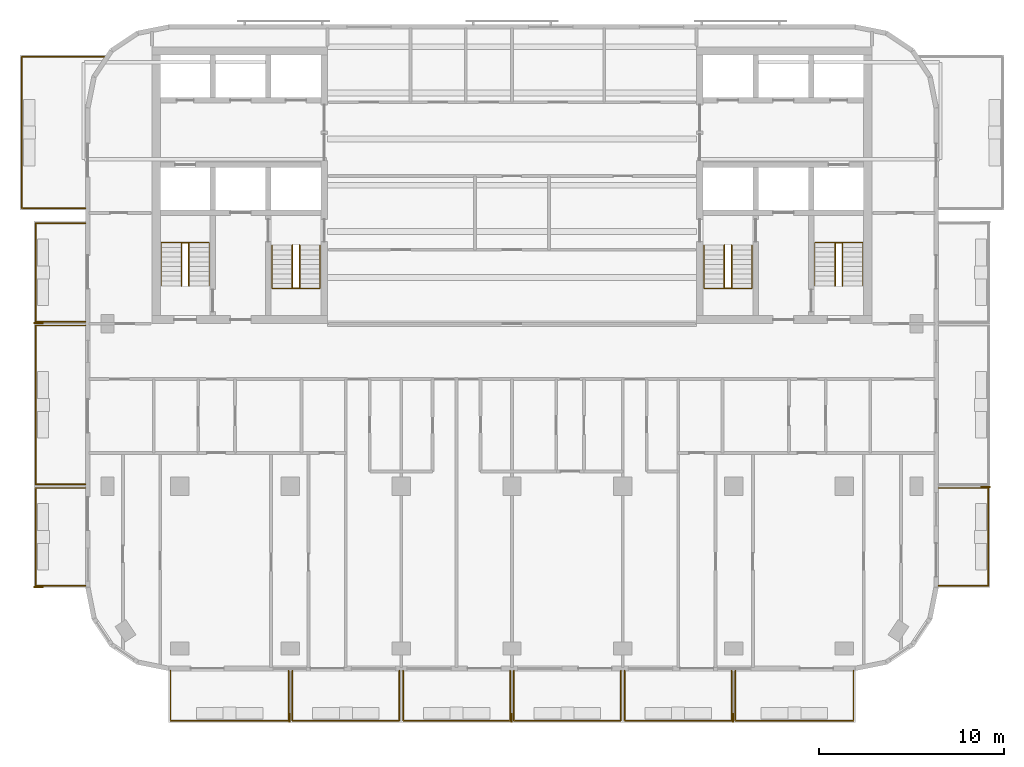
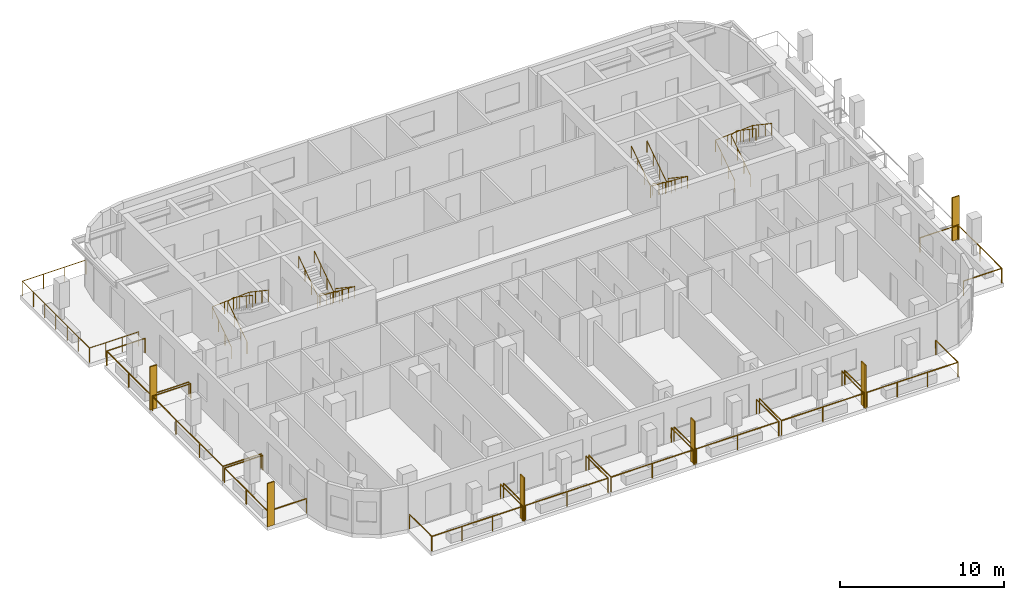
# One storey, part 9 of 11: 19 railings, 6 shading devices.
"""IFC4 building model written with IfcOpenShell, lengths in metres."""

from ifc_helpers import new_model, si_unit, direction, frame, origin, origin_2d, place, context, subcontext, project, spatial, rectangle, circle, extrude, material, layer, layer_set, type_object, element, save


model = new_model("IFC4")

# Units and contexts
model_context = context("Model", 3, precision=1e-05, world=origin(), true_north=direction((0.0, 1.0)))
body_context = subcontext(model_context, "Body", "Model", "MODEL_VIEW")
ifc_project = project(units=[si_unit("LENGTHUNIT", "METRE"), si_unit("AREAUNIT", "SQUARE_METRE"), si_unit("VOLUMEUNIT", "CUBIC_METRE"), si_unit("PLANEANGLEUNIT", "RADIAN"), si_unit("MASSUNIT", "GRAM", prefix="KILO")], contexts=[model_context])

# Site, building, storey
site_placement = place(None, origin())
site = spatial("IfcSite", under=ifc_project, at=site_placement, CompositionType="ELEMENT")
building_placement = place(site_placement, origin())
building = spatial("IfcBuilding", under=site, at=building_placement, Name="Torana Hotel and Residences", CompositionType="ELEMENT")
storey_placement = place(building_placement, frame((0.0, 0.0, 263.10009765625)))
storey = spatial("IfcBuildingStorey", under=building, at=storey_placement, Name="L69", CompositionType="ELEMENT", Elevation=263.10009765625)

# Shading devices
ifc_material_1 = material(Name="Black powder coated aluminium", Category="aluminium")
ifc_layer = layer(ifc_material_1, 0.080078125)
ifc_layer_set = layer_set([ifc_layer], Name="FN1 VERTICAL FIN 500x80")
shading_device_type = type_object("IfcShadingDeviceType", Name="FN1 VERTICAL FIN 500x80", PredefinedType="USERDEFINED", material=ifc_layer_set)
for number, where, z_axis, x_axis, name in (
    (1, (-12.0400390625, -36.35009765625, 0.0), (0.0, 0.0, 1.0), (-1.0, 0.0, 0.0), "Fin 01"),
    (2, (-0.0400390625, -36.35009765625, 0.0), (0.0, 0.0, 1.0), (-1.0, 0.0, 0.0), "Fin 03"),
    (3, (11.9599609375, -36.35009765625, 0.0), (0.0, 0.0, 1.0), (-1.0, 0.0, 0.0), "Fin 05"),
    (4, (-25.64990234375, -29.260009765625, 0.0), (0.0, 0.0, 1.0), (0.0, 1.0, 0.0), "Fin 07"),
    (5, (-25.64990234375, -14.9599609375, 0.0), (0.0, 0.0, 1.0), (0.0, 1.0, 0.0), "Fin 09"),
    (6, (25.64990234375, -23.840087890625, 0.0), (0.0, 0.0, 1.0), (0.0, -1.0, 0.0), "Fin 11"),
):
    element("IfcShadingDevice", number, at=place(storey_placement, frame(where, z_axis=z_axis, x_axis=x_axis)), inside=storey, type_object=shading_device_type, Name=name, ObjectType="FIN", PredefinedType="USERDEFINED", context=body_context, shape_type="SweptSolid", body=[
        extrude(rectangle(XDim=0.080078125, YDim=0.5, at=origin_2d()), origin(), (0.0, 0.0, 1.0), 3.219970703125),
    ])

# Railings
ifc_material_2 = material(Name="Laminated glass balustrade with black handrail", Category="glass")
railing_type_1 = type_object("IfcRailingType", Name="GR1 BALCONY GUARD 1100 GLASS", PredefinedType="GUARDRAIL", material=ifc_material_2)
railing_1_placement = place(storey_placement, frame((-12.10009765625, -33.800048828125, 0.0)))
element("IfcRailing", 7, at=railing_1_placement, inside=storey, type_object=railing_type_1, Name="Balcony guard 01", PredefinedType="GUARDRAIL", context=body_context, shape_type="SweptSolid", body=[
    extrude(circle(Radius=0.02392578125, at=origin_2d()), frame((0.0, 0.0, 1.076171875), z_axis=(0.0, -1.0, 0.0), x_axis=(1.0, 0.0, 0.0)), (0.0, 0.0, 1.0), 2.699951171875),
    extrude(circle(Radius=0.02392578125, at=origin_2d()), frame((0.0, -2.699951171875, 1.076171875), z_axis=(-1.0, 0.0, 0.0), x_axis=(0.0, -1.0, 0.0)), (0.0, 0.0, 1.0), 6.39990234375),
    extrude(circle(Radius=0.02392578125, at=origin_2d()), frame((-6.39990234375, -2.699951171875, 1.076171875), z_axis=(0.0, 1.0, 0.0), x_axis=(-1.0, 0.0, 0.0)), (0.0, 0.0, 1.0), 2.699951171875),
    extrude(circle(Radius=0.02099609375, at=origin_2d()), origin(), (0.0, 0.0, 1.0), 1.052001953125),
    extrude(circle(Radius=0.02099609375, at=origin_2d()), frame((0.0, -2.699951171875, 0.0)), (0.0, 0.0, 1.0), 1.052001953125),
    extrude(circle(Radius=0.02099609375, at=origin_2d()), frame((-2.13330078125, -2.699951171875, 0.0)), (0.0, 0.0, 1.0), 1.052001953125),
    extrude(circle(Radius=0.02099609375, at=origin_2d()), frame((-4.2666015625, -2.699951171875, 0.0)), (0.0, 0.0, 1.0), 1.052001953125),
    extrude(circle(Radius=0.02099609375, at=origin_2d()), frame((-6.39990234375, -2.699951171875, 0.0)), (0.0, 0.0, 1.0), 1.052001953125),
    extrude(circle(Radius=0.02099609375, at=origin_2d()), frame((-6.39990234375, 0.0, 0.0)), (0.0, 0.0, 1.0), 1.052001953125),
])
for number, where, name in (
    (8, (-6.10009765625, -33.800048828125, 0.0), "Balcony guard 02"),
    (9, (-0.10009765625, -33.800048828125, 0.0), "Balcony guard 03"),
    (10, (5.89990234375, -33.800048828125, 0.0), "Balcony guard 04"),
    (11, (11.89990234375, -33.800048828125, 0.0), "Balcony guard 05"),
):
    element("IfcRailing", number, at=place(storey_placement, frame(where)), inside=storey, type_object=railing_type_1, Name=name, PredefinedType="GUARDRAIL", context=body_context, shape_type="SweptSolid", body=[
        extrude(circle(Radius=0.02392578125, at=origin_2d()), frame((0.0, 0.0, 1.076171875), z_axis=(0.0, -1.0, 0.0), x_axis=(1.0, 0.0, 0.0)), (0.0, 0.0, 1.0), 2.699951171875),
        extrude(circle(Radius=0.02392578125, at=origin_2d()), frame((0.0, -2.699951171875, 1.076171875), z_axis=(-1.0, 0.0, 0.0), x_axis=(0.0, -1.0, 0.0)), (0.0, 0.0, 1.0), 5.7998046875),
        extrude(circle(Radius=0.02392578125, at=origin_2d()), frame((-5.7998046875, -2.699951171875, 1.076171875), z_axis=(0.0, 1.0, 0.0), x_axis=(-1.0, 0.0, 0.0)), (0.0, 0.0, 1.0), 2.699951171875),
        extrude(circle(Radius=0.02099609375, at=origin_2d()), origin(), (0.0, 0.0, 1.0), 1.052001953125),
        extrude(circle(Radius=0.02099609375, at=origin_2d()), frame((0.0, -2.699951171875, 0.0)), (0.0, 0.0, 1.0), 1.052001953125),
        extrude(circle(Radius=0.02099609375, at=origin_2d()), frame((-2.89990234375, -2.699951171875, 0.0)), (0.0, 0.0, 1.0), 1.052001953125),
        extrude(circle(Radius=0.02099609375, at=origin_2d()), frame((-5.7998046875, -2.699951171875, 0.0)), (0.0, 0.0, 1.0), 1.052001953125),
        extrude(circle(Radius=0.02099609375, at=origin_2d()), frame((-5.7998046875, 0.0, 0.0)), (0.0, 0.0, 1.0), 1.052001953125),
    ])
railing_2_placement = place(storey_placement, frame((18.5, -33.800048828125, 0.0)))
element("IfcRailing", 12, at=railing_2_placement, inside=storey, type_object=railing_type_1, Name="Balcony guard 06", PredefinedType="GUARDRAIL", context=body_context, shape_type="SweptSolid", body=[
    extrude(circle(Radius=0.02392578125, at=origin_2d()), frame((0.0, 0.0, 1.076171875), z_axis=(0.0, -1.0, 0.0), x_axis=(1.0, 0.0, 0.0)), (0.0, 0.0, 1.0), 2.699951171875),
    extrude(circle(Radius=0.02392578125, at=origin_2d()), frame((0.0, -2.699951171875, 1.076171875), z_axis=(-1.0, 0.0, 0.0), x_axis=(0.0, -1.0, 0.0)), (0.0, 0.0, 1.0), 6.39990234375),
    extrude(circle(Radius=0.02392578125, at=origin_2d()), frame((-6.39990234375, -2.699951171875, 1.076171875), z_axis=(0.0, 1.0, 0.0), x_axis=(-1.0, 0.0, 0.0)), (0.0, 0.0, 1.0), 2.699951171875),
    extrude(circle(Radius=0.02099609375, at=origin_2d()), origin(), (0.0, 0.0, 1.0), 1.052001953125),
    extrude(circle(Radius=0.02099609375, at=origin_2d()), frame((0.0, -2.699951171875, 0.0)), (0.0, 0.0, 1.0), 1.052001953125),
    extrude(circle(Radius=0.02099609375, at=origin_2d()), frame((-2.13330078125, -2.699951171875, 0.0)), (0.0, 0.0, 1.0), 1.052001953125),
    extrude(circle(Radius=0.02099609375, at=origin_2d()), frame((-4.2666015625, -2.699951171875, 0.0)), (0.0, 0.0, 1.0), 1.052001953125),
    extrude(circle(Radius=0.02099609375, at=origin_2d()), frame((-6.39990234375, -2.699951171875, 0.0)), (0.0, 0.0, 1.0), 1.052001953125),
    extrude(circle(Radius=0.02099609375, at=origin_2d()), frame((-6.39990234375, 0.0, 0.0)), (0.0, 0.0, 1.0), 1.052001953125),
])
railing_3_placement = place(storey_placement, frame((-23.10009765625, -29.199951171875, 0.0)))
element("IfcRailing", 13, at=railing_3_placement, inside=storey, type_object=railing_type_1, Name="Balcony guard 07", PredefinedType="GUARDRAIL", context=body_context, shape_type="SweptSolid", body=[
    extrude(circle(Radius=0.02392578125, at=origin_2d()), frame((0.0, 0.0, 1.076171875), z_axis=(-1.0, 0.0, 0.0), x_axis=(0.0, -1.0, 0.0)), (0.0, 0.0, 1.0), 2.699951171875),
    extrude(circle(Radius=0.02392578125, at=origin_2d()), frame((-2.699951171875, 0.0, 1.076171875), z_axis=(0.0, 1.0, 0.0), x_axis=(-1.0, 0.0, 0.0)), (0.0, 0.0, 1.0), 5.300048828125),
    extrude(circle(Radius=0.02392578125, at=origin_2d()), frame((-2.699951171875, 5.300048828125, 1.076171875), z_axis=(1.0, 0.0, 0.0), x_axis=(0.0, 1.0, 0.0)), (0.0, 0.0, 1.0), 2.699951171875),
    extrude(circle(Radius=0.02099609375, at=origin_2d()), origin(), (0.0, 0.0, 1.0), 1.052001953125),
    extrude(circle(Radius=0.02099609375, at=origin_2d()), frame((-2.699951171875, 0.0, 0.0)), (0.0, 0.0, 1.0), 1.052001953125),
    extrude(circle(Radius=0.02099609375, at=origin_2d()), frame((-2.699951171875, 2.64990234375, 0.0)), (0.0, 0.0, 1.0), 1.052001953125),
    extrude(circle(Radius=0.02099609375, at=origin_2d()), frame((-2.699951171875, 5.300048828125, 0.0)), (0.0, 0.0, 1.0), 1.052001953125),
    extrude(circle(Radius=0.02099609375, at=origin_2d()), frame((0.0, 5.300048828125, 0.0)), (0.0, 0.0, 1.0), 1.052001953125),
])
railing_4_placement = place(storey_placement, frame((-23.10009765625, -23.699951171875, 0.0)))
element("IfcRailing", 14, at=railing_4_placement, inside=storey, type_object=railing_type_1, Name="Balcony guard 08", PredefinedType="GUARDRAIL", context=body_context, shape_type="SweptSolid", body=[
    extrude(circle(Radius=0.02392578125, at=origin_2d()), frame((0.0, 0.0, 1.076171875), z_axis=(-1.0, 0.0, 0.0), x_axis=(0.0, -1.0, 0.0)), (0.0, 0.0, 1.0), 2.699951171875),
    extrude(circle(Radius=0.02392578125, at=origin_2d()), frame((-2.699951171875, 0.0, 1.076171875), z_axis=(0.0, 1.0, 0.0), x_axis=(-1.0, 0.0, 0.0)), (0.0, 0.0, 1.0), 8.599853515625),
    extrude(circle(Radius=0.02392578125, at=origin_2d()), frame((-2.699951171875, 8.599853515625, 1.076171875), z_axis=(1.0, 0.0, 0.0), x_axis=(0.0, 1.0, 0.0)), (0.0, 0.0, 1.0), 2.699951171875),
    extrude(circle(Radius=0.02099609375, at=origin_2d()), origin(), (0.0, 0.0, 1.0), 1.052001953125),
    extrude(circle(Radius=0.02099609375, at=origin_2d()), frame((-2.699951171875, 0.0, 0.0)), (0.0, 0.0, 1.0), 1.052001953125),
    extrude(circle(Radius=0.02099609375, at=origin_2d()), frame((-2.699951171875, 2.86669921875, 0.0)), (0.0, 0.0, 1.0), 1.052001953125),
    extrude(circle(Radius=0.02099609375, at=origin_2d()), frame((-2.699951171875, 5.733154296875, 0.0)), (0.0, 0.0, 1.0), 1.052001953125),
    extrude(circle(Radius=0.02099609375, at=origin_2d()), frame((-2.699951171875, 8.599853515625, 0.0)), (0.0, 0.0, 1.0), 1.052001953125),
    extrude(circle(Radius=0.02099609375, at=origin_2d()), frame((0.0, 8.599853515625, 0.0)), (0.0, 0.0, 1.0), 1.052001953125),
])
railing_5_placement = place(storey_placement, frame((-23.10009765625, -14.89990234375, 0.0)))
element("IfcRailing", 15, at=railing_5_placement, inside=storey, type_object=railing_type_1, Name="Balcony guard 09", PredefinedType="GUARDRAIL", context=body_context, shape_type="SweptSolid", body=[
    extrude(circle(Radius=0.02392578125, at=origin_2d()), frame((0.0, 0.0, 1.076171875), z_axis=(-1.0, 0.0, 0.0), x_axis=(0.0, -1.0, 0.0)), (0.0, 0.0, 1.0), 2.699951171875),
    extrude(circle(Radius=0.02392578125, at=origin_2d()), frame((-2.699951171875, 0.0, 1.076171875), z_axis=(0.0, 1.0, 0.0), x_axis=(-1.0, 0.0, 0.0)), (0.0, 0.0, 1.0), 5.349853515625),
    extrude(circle(Radius=0.02392578125, at=origin_2d()), frame((-2.699951171875, 5.349853515625, 1.076171875), z_axis=(1.0, 0.0, 0.0), x_axis=(0.0, 1.0, 0.0)), (0.0, 0.0, 1.0), 2.699951171875),
    extrude(circle(Radius=0.02099609375, at=origin_2d()), origin(), (0.0, 0.0, 1.0), 1.052001953125),
    extrude(circle(Radius=0.02099609375, at=origin_2d()), frame((-2.699951171875, 0.0, 0.0)), (0.0, 0.0, 1.0), 1.052001953125),
    extrude(circle(Radius=0.02099609375, at=origin_2d()), frame((-2.699951171875, 2.6748046875, 0.0)), (0.0, 0.0, 1.0), 1.052001953125),
    extrude(circle(Radius=0.02099609375, at=origin_2d()), frame((-2.699951171875, 5.349853515625, 0.0)), (0.0, 0.0, 1.0), 1.052001953125),
    extrude(circle(Radius=0.02099609375, at=origin_2d()), frame((0.0, 5.349853515625, 0.0)), (0.0, 0.0, 1.0), 1.052001953125),
])
railing_6_placement = place(storey_placement, frame((-23.10009765625, -8.75, 0.0)))
element("IfcRailing", 16, at=railing_6_placement, inside=storey, type_object=railing_type_1, Name="Balcony guard 10", PredefinedType="GUARDRAIL", context=body_context, shape_type="SweptSolid", body=[
    extrude(circle(Radius=0.02392578125, at=origin_2d()), frame((0.0, 0.0, 1.076171875), z_axis=(-1.0, 0.0, 0.0), x_axis=(0.0, -1.0, 0.0)), (0.0, 0.0, 1.0), 3.449951171875),
    extrude(circle(Radius=0.02392578125, at=origin_2d()), frame((-3.449951171875, 0.0, 1.076171875), z_axis=(0.0, 1.0, 0.0), x_axis=(-1.0, 0.0, 0.0)), (0.0, 0.0, 1.0), 8.199951171875),
    extrude(circle(Radius=0.02392578125, at=origin_2d()), frame((-3.449951171875, 8.199951171875, 1.076171875), z_axis=(1.0, 0.0, 0.0), x_axis=(0.0, 1.0, 0.0)), (0.0, 0.0, 1.0), 4.479248046875),
    extrude(circle(Radius=0.02099609375, at=origin_2d()), origin(), (0.0, 0.0, 1.0), 1.052001953125),
    extrude(circle(Radius=0.02099609375, at=origin_2d()), frame((-1.14990234375, 0.0, 0.0)), (0.0, 0.0, 1.0), 1.052001953125),
    extrude(circle(Radius=0.02099609375, at=origin_2d()), frame((-2.300048828125, 0.0, 0.0)), (0.0, 0.0, 1.0), 1.052001953125),
    extrude(circle(Radius=0.02099609375, at=origin_2d()), frame((-3.449951171875, 0.0, 0.0)), (0.0, 0.0, 1.0), 1.052001953125),
    extrude(circle(Radius=0.02099609375, at=origin_2d()), frame((-3.449951171875, 1.36669921875, 0.0)), (0.0, 0.0, 1.0), 1.052001953125),
    extrude(circle(Radius=0.02099609375, at=origin_2d()), frame((-3.449951171875, 2.7333984375, 0.0)), (0.0, 0.0, 1.0), 1.052001953125),
    extrude(circle(Radius=0.02099609375, at=origin_2d()), frame((-3.449951171875, 4.10009765625, 0.0)), (0.0, 0.0, 1.0), 1.052001953125),
    extrude(circle(Radius=0.02099609375, at=origin_2d()), frame((-3.449951171875, 5.466552734375, 0.0)), (0.0, 0.0, 1.0), 1.052001953125),
    extrude(circle(Radius=0.02099609375, at=origin_2d()), frame((-3.449951171875, 6.833251953125, 0.0)), (0.0, 0.0, 1.0), 1.052001953125),
    extrude(circle(Radius=0.02099609375, at=origin_2d()), frame((-3.449951171875, 8.199951171875, 0.0)), (0.0, 0.0, 1.0), 1.052001953125),
    extrude(circle(Radius=0.02099609375, at=origin_2d()), frame((-1.956787109375, 8.199951171875, 0.0)), (0.0, 0.0, 1.0), 1.052001953125),
    extrude(circle(Radius=0.02099609375, at=origin_2d()), frame((-0.4638671875, 8.199951171875, 0.0)), (0.0, 0.0, 1.0), 1.052001953125),
    extrude(circle(Radius=0.02099609375, at=origin_2d()), frame((1.029296875, 8.199951171875, 0.0)), (0.0, 0.0, 1.0), 1.052001953125),
])
railing_7_placement = place(storey_placement, frame((23.10009765625, -23.89990234375, 0.0)))
element("IfcRailing", 17, at=railing_7_placement, inside=storey, type_object=railing_type_1, Name="Balcony guard 11", PredefinedType="GUARDRAIL", context=body_context, shape_type="SweptSolid", body=[
    extrude(circle(Radius=0.02392578125, at=origin_2d()), frame((0.0, 0.0, 1.076171875), z_axis=(1.0, 0.0, 0.0), x_axis=(0.0, 1.0, 0.0)), (0.0, 0.0, 1.0), 2.699951171875),
    extrude(circle(Radius=0.02392578125, at=origin_2d()), frame((2.699951171875, 0.0, 1.076171875), z_axis=(0.0, -1.0, 0.0), x_axis=(1.0, 0.0, 0.0)), (0.0, 0.0, 1.0), 5.300048828125),
    extrude(circle(Radius=0.02392578125, at=origin_2d()), frame((2.699951171875, -5.300048828125, 1.076171875), z_axis=(-1.0, 0.0, 0.0), x_axis=(0.0, -1.0, 0.0)), (0.0, 0.0, 1.0), 2.699951171875),
    extrude(circle(Radius=0.02099609375, at=origin_2d()), origin(), (0.0, 0.0, 1.0), 1.052001953125),
    extrude(circle(Radius=0.02099609375, at=origin_2d()), frame((2.699951171875, 0.0, 0.0)), (0.0, 0.0, 1.0), 1.052001953125),
    extrude(circle(Radius=0.02099609375, at=origin_2d()), frame((2.699951171875, -2.64990234375, 0.0)), (0.0, 0.0, 1.0), 1.052001953125),
    extrude(circle(Radius=0.02099609375, at=origin_2d()), frame((2.699951171875, -5.300048828125, 0.0)), (0.0, 0.0, 1.0), 1.052001953125),
    extrude(circle(Radius=0.02099609375, at=origin_2d()), frame((0.0, -5.300048828125, 0.0)), (0.0, 0.0, 1.0), 1.052001953125),
])
ifc_material_3 = material(Name="Stainless steel 316", Category="steel")
railing_type_2 = type_object("IfcRailingType", Name="STAIR HANDRAIL HR1 900", PredefinedType="HANDRAIL", material=ifc_material_3)
railing_8_placement = place(storey_placement, frame((-10.39990234375, -10.75, 0.1748046875)))
element("IfcRailing", 18, at=railing_8_placement, inside=storey, type_object=railing_type_2, Name="Handrail ST1 L69 O1", PredefinedType="HANDRAIL", context=body_context, shape_type="SweptSolid", body=[
    extrude(circle(Radius=0.02392578125, at=origin_2d()), frame((0.0, 0.0, 0.8759765625), z_axis=(0.0, -0.829565388462, 0.558409586474), x_axis=(1.0, 0.0, 0.0)), (0.0, 0.0, 1.0), 2.82080078125),
    extrude(circle(Radius=0.02392578125, at=origin_2d()), frame((0.0, -2.340087890625, 2.451171875), z_axis=(-0.997747692642, 0.0, 0.067078624219), x_axis=(0.0, -1.0, 0.0)), (0.0, 0.0, 1.0), 2.60595703125),
    extrude(circle(Radius=0.02392578125, at=origin_2d()), frame((-2.60009765625, -2.340087890625, 2.6259765625), z_axis=(0.0, 0.829565388462, 0.558409586474), x_axis=(-1.0, 0.0, 0.0)), (0.0, 0.0, 1.0), 2.82080078125),
    extrude(circle(Radius=0.02099609375, at=origin_2d()), origin(), (0.0, 0.0, 1.0), 0.851806640625),
    extrude(circle(Radius=0.02099609375, at=origin_2d()), frame((0.0, -0.780029296875, 0.525146484375)), (0.0, 0.0, 1.0), 0.851806640625),
    extrude(circle(Radius=0.02099609375, at=origin_2d()), frame((0.0, -1.56005859375, 1.050048828125)), (0.0, 0.0, 1.0), 0.851806640625),
    extrude(circle(Radius=0.02099609375, at=origin_2d()), frame((0.0, -2.340087890625, 1.5751953125)), (0.0, 0.0, 1.0), 0.851806640625),
    extrude(circle(Radius=0.02099609375, at=origin_2d()), frame((-0.86669921875, -2.340087890625, 1.633544921875)), (0.0, 0.0, 1.0), 0.851806640625),
    extrude(circle(Radius=0.02099609375, at=origin_2d()), frame((-1.7333984375, -2.340087890625, 1.691650390625)), (0.0, 0.0, 1.0), 0.851806640625),
    extrude(circle(Radius=0.02099609375, at=origin_2d()), frame((-2.60009765625, -2.340087890625, 1.75)), (0.0, 0.0, 1.0), 0.851806640625),
    extrude(circle(Radius=0.02099609375, at=origin_2d()), frame((-2.60009765625, -1.56005859375, 2.275146484375)), (0.0, 0.0, 1.0), 0.851806640625),
    extrude(circle(Radius=0.02099609375, at=origin_2d()), frame((-2.60009765625, -0.780029296875, 2.800048828125)), (0.0, 0.0, 1.0), 0.851806640625),
    extrude(circle(Radius=0.02099609375, at=origin_2d()), frame((-2.60009765625, 0.0, 3.3251953125)), (0.0, 0.0, 1.0), 0.851806640625),
])
railing_9_placement = place(storey_placement, frame((-11.5, -10.75, 0.1748046875)))
element("IfcRailing", 19, at=railing_9_placement, inside=storey, type_object=railing_type_2, Name="Handrail ST1 L69 I1", PredefinedType="HANDRAIL", context=body_context, shape_type="SweptSolid", body=[
    extrude(circle(Radius=0.02392578125, at=origin_2d()), frame((0.0, 0.0, 0.8759765625), z_axis=(0.0, -0.829565388462, 0.558409586474), x_axis=(1.0, 0.0, 0.0)), (0.0, 0.0, 1.0), 2.82080078125),
    extrude(circle(Radius=0.02392578125, at=origin_2d()), frame((0.0, -2.340087890625, 2.451171875), z_axis=(-0.916285673175, 0.0, 0.400525361412), x_axis=(0.0, -1.0, 0.0)), (0.0, 0.0, 1.0), 0.4365234375),
    extrude(circle(Radius=0.02392578125, at=origin_2d()), frame((-0.39990234375, -2.340087890625, 2.6259765625), z_axis=(0.0, 0.829565388462, 0.558409586474), x_axis=(-1.0, 0.0, 0.0)), (0.0, 0.0, 1.0), 2.82080078125),
    extrude(circle(Radius=0.02099609375, at=origin_2d()), origin(), (0.0, 0.0, 1.0), 0.851806640625),
    extrude(circle(Radius=0.02099609375, at=origin_2d()), frame((0.0, -0.780029296875, 0.525146484375)), (0.0, 0.0, 1.0), 0.851806640625),
    extrude(circle(Radius=0.02099609375, at=origin_2d()), frame((0.0, -1.56005859375, 1.050048828125)), (0.0, 0.0, 1.0), 0.851806640625),
    extrude(circle(Radius=0.02099609375, at=origin_2d()), frame((0.0, -2.340087890625, 1.5751953125)), (0.0, 0.0, 1.0), 0.851806640625),
    extrude(circle(Radius=0.02099609375, at=origin_2d()), frame((-0.39990234375, -2.340087890625, 1.75)), (0.0, 0.0, 1.0), 0.851806640625),
    extrude(circle(Radius=0.02099609375, at=origin_2d()), frame((-0.39990234375, -1.56005859375, 2.275146484375)), (0.0, 0.0, 1.0), 0.851806640625),
    extrude(circle(Radius=0.02099609375, at=origin_2d()), frame((-0.39990234375, -0.780029296875, 2.800048828125)), (0.0, 0.0, 1.0), 0.851806640625),
    extrude(circle(Radius=0.02099609375, at=origin_2d()), frame((-0.39990234375, 0.0, 3.3251953125)), (0.0, 0.0, 1.0), 0.851806640625),
])
railing_10_placement = place(storey_placement, frame((-19.0, -12.949951171875, 0.1748046875)))
element("IfcRailing", 20, at=railing_10_placement, inside=storey, type_object=railing_type_2, Name="Handrail ST2 L69 O1", PredefinedType="HANDRAIL", context=body_context, shape_type="SweptSolid", body=[
    extrude(circle(Radius=0.02392578125, at=origin_2d()), frame((0.0, 0.0, 0.8759765625), z_axis=(0.0, 0.829538397957, 0.558449681095), x_axis=(-1.0, 0.0, 0.0)), (0.0, 0.0, 1.0), 2.820556640625),
    extrude(circle(Radius=0.02392578125, at=origin_2d()), frame((0.0, 2.33984375, 2.451171875), z_axis=(0.997747692642, 0.0, 0.067078624219), x_axis=(0.0, 1.0, 0.0)), (0.0, 0.0, 1.0), 2.60595703125),
    extrude(circle(Radius=0.02392578125, at=origin_2d()), frame((2.60009765625, 2.33984375, 2.6259765625), z_axis=(0.0, -0.829538397957, 0.558449681095), x_axis=(1.0, 0.0, 0.0)), (0.0, 0.0, 1.0), 2.820556640625),
    extrude(circle(Radius=0.02099609375, at=origin_2d()), origin(), (0.0, 0.0, 1.0), 0.851806640625),
    extrude(circle(Radius=0.02099609375, at=origin_2d()), frame((0.0, 0.780029296875, 0.525146484375)), (0.0, 0.0, 1.0), 0.851806640625),
    extrude(circle(Radius=0.02099609375, at=origin_2d()), frame((0.0, 1.559814453125, 1.050048828125)), (0.0, 0.0, 1.0), 0.851806640625),
    extrude(circle(Radius=0.02099609375, at=origin_2d()), frame((0.0, 2.33984375, 1.5751953125)), (0.0, 0.0, 1.0), 0.851806640625),
    extrude(circle(Radius=0.02099609375, at=origin_2d()), frame((0.86669921875, 2.33984375, 1.633544921875)), (0.0, 0.0, 1.0), 0.851806640625),
    extrude(circle(Radius=0.02099609375, at=origin_2d()), frame((1.7333984375, 2.33984375, 1.691650390625)), (0.0, 0.0, 1.0), 0.851806640625),
    extrude(circle(Radius=0.02099609375, at=origin_2d()), frame((2.60009765625, 2.33984375, 1.75)), (0.0, 0.0, 1.0), 0.851806640625),
    extrude(circle(Radius=0.02099609375, at=origin_2d()), frame((2.60009765625, 1.559814453125, 2.275146484375)), (0.0, 0.0, 1.0), 0.851806640625),
    extrude(circle(Radius=0.02099609375, at=origin_2d()), frame((2.60009765625, 0.780029296875, 2.800048828125)), (0.0, 0.0, 1.0), 0.851806640625),
    extrude(circle(Radius=0.02099609375, at=origin_2d()), frame((2.60009765625, 0.0, 3.3251953125)), (0.0, 0.0, 1.0), 0.851806640625),
])
railing_11_placement = place(storey_placement, frame((-17.89990234375, -12.949951171875, 0.1748046875)))
element("IfcRailing", 21, at=railing_11_placement, inside=storey, type_object=railing_type_2, Name="Handrail ST2 L69 I1", PredefinedType="HANDRAIL", context=body_context, shape_type="SweptSolid", body=[
    extrude(circle(Radius=0.02392578125, at=origin_2d()), frame((0.0, 0.0, 0.8759765625), z_axis=(0.0, 0.829538397957, 0.558449681095), x_axis=(-1.0, 0.0, 0.0)), (0.0, 0.0, 1.0), 2.820556640625),
    extrude(circle(Radius=0.02392578125, at=origin_2d()), frame((0.0, 2.33984375, 2.451171875), z_axis=(0.916285673175, 0.0, 0.400525361412), x_axis=(0.0, 1.0, 0.0)), (0.0, 0.0, 1.0), 0.4365234375),
    extrude(circle(Radius=0.02392578125, at=origin_2d()), frame((0.39990234375, 2.33984375, 2.6259765625), z_axis=(0.0, -0.829538397957, 0.558449681095), x_axis=(1.0, 0.0, 0.0)), (0.0, 0.0, 1.0), 2.820556640625),
    extrude(circle(Radius=0.02099609375, at=origin_2d()), origin(), (0.0, 0.0, 1.0), 0.851806640625),
    extrude(circle(Radius=0.02099609375, at=origin_2d()), frame((0.0, 0.780029296875, 0.525146484375)), (0.0, 0.0, 1.0), 0.851806640625),
    extrude(circle(Radius=0.02099609375, at=origin_2d()), frame((0.0, 1.559814453125, 1.050048828125)), (0.0, 0.0, 1.0), 0.851806640625),
    extrude(circle(Radius=0.02099609375, at=origin_2d()), frame((0.0, 2.33984375, 1.5751953125)), (0.0, 0.0, 1.0), 0.851806640625),
    extrude(circle(Radius=0.02099609375, at=origin_2d()), frame((0.39990234375, 2.33984375, 1.75)), (0.0, 0.0, 1.0), 0.851806640625),
    extrude(circle(Radius=0.02099609375, at=origin_2d()), frame((0.39990234375, 1.559814453125, 2.275146484375)), (0.0, 0.0, 1.0), 0.851806640625),
    extrude(circle(Radius=0.02099609375, at=origin_2d()), frame((0.39990234375, 0.780029296875, 2.800048828125)), (0.0, 0.0, 1.0), 0.851806640625),
    extrude(circle(Radius=0.02099609375, at=origin_2d()), frame((0.39990234375, 0.0, 3.3251953125)), (0.0, 0.0, 1.0), 0.851806640625),
])
railing_12_placement = place(storey_placement, frame((13.0, -10.75, 0.1748046875)))
element("IfcRailing", 22, at=railing_12_placement, inside=storey, type_object=railing_type_2, Name="Handrail ST3 L69 O1", PredefinedType="HANDRAIL", context=body_context, shape_type="SweptSolid", body=[
    extrude(circle(Radius=0.02392578125, at=origin_2d()), frame((0.0, 0.0, 0.8759765625), z_axis=(0.0, -0.829565388462, 0.558409586474), x_axis=(1.0, 0.0, 0.0)), (0.0, 0.0, 1.0), 2.82080078125),
    extrude(circle(Radius=0.02392578125, at=origin_2d()), frame((0.0, -2.340087890625, 2.451171875), z_axis=(-0.997747692642, 0.0, 0.067078624219), x_axis=(0.0, -1.0, 0.0)), (0.0, 0.0, 1.0), 2.60595703125),
    extrude(circle(Radius=0.02392578125, at=origin_2d()), frame((-2.60009765625, -2.340087890625, 2.6259765625), z_axis=(0.0, 0.829565388462, 0.558409586474), x_axis=(-1.0, 0.0, 0.0)), (0.0, 0.0, 1.0), 2.82080078125),
    extrude(circle(Radius=0.02099609375, at=origin_2d()), origin(), (0.0, 0.0, 1.0), 0.851806640625),
    extrude(circle(Radius=0.02099609375, at=origin_2d()), frame((0.0, -0.780029296875, 0.525146484375)), (0.0, 0.0, 1.0), 0.851806640625),
    extrude(circle(Radius=0.02099609375, at=origin_2d()), frame((0.0, -1.56005859375, 1.050048828125)), (0.0, 0.0, 1.0), 0.851806640625),
    extrude(circle(Radius=0.02099609375, at=origin_2d()), frame((0.0, -2.340087890625, 1.5751953125)), (0.0, 0.0, 1.0), 0.851806640625),
    extrude(circle(Radius=0.02099609375, at=origin_2d()), frame((-0.86669921875, -2.340087890625, 1.633544921875)), (0.0, 0.0, 1.0), 0.851806640625),
    extrude(circle(Radius=0.02099609375, at=origin_2d()), frame((-1.7333984375, -2.340087890625, 1.691650390625)), (0.0, 0.0, 1.0), 0.851806640625),
    extrude(circle(Radius=0.02099609375, at=origin_2d()), frame((-2.60009765625, -2.340087890625, 1.75)), (0.0, 0.0, 1.0), 0.851806640625),
    extrude(circle(Radius=0.02099609375, at=origin_2d()), frame((-2.60009765625, -1.56005859375, 2.275146484375)), (0.0, 0.0, 1.0), 0.851806640625),
    extrude(circle(Radius=0.02099609375, at=origin_2d()), frame((-2.60009765625, -0.780029296875, 2.800048828125)), (0.0, 0.0, 1.0), 0.851806640625),
    extrude(circle(Radius=0.02099609375, at=origin_2d()), frame((-2.60009765625, 0.0, 3.3251953125)), (0.0, 0.0, 1.0), 0.851806640625),
])
railing_13_placement = place(storey_placement, frame((11.89990234375, -10.75, 0.1748046875)))
element("IfcRailing", 23, at=railing_13_placement, inside=storey, type_object=railing_type_2, Name="Handrail ST3 L69 I1", PredefinedType="HANDRAIL", context=body_context, shape_type="SweptSolid", body=[
    extrude(circle(Radius=0.02392578125, at=origin_2d()), frame((0.0, 0.0, 0.8759765625), z_axis=(0.0, -0.829565388462, 0.558409586474), x_axis=(1.0, 0.0, 0.0)), (0.0, 0.0, 1.0), 2.82080078125),
    extrude(circle(Radius=0.02392578125, at=origin_2d()), frame((0.0, -2.340087890625, 2.451171875), z_axis=(-0.916285673175, 0.0, 0.400525361412), x_axis=(0.0, -1.0, 0.0)), (0.0, 0.0, 1.0), 0.4365234375),
    extrude(circle(Radius=0.02392578125, at=origin_2d()), frame((-0.39990234375, -2.340087890625, 2.6259765625), z_axis=(0.0, 0.829565388462, 0.558409586474), x_axis=(-1.0, 0.0, 0.0)), (0.0, 0.0, 1.0), 2.82080078125),
    extrude(circle(Radius=0.02099609375, at=origin_2d()), origin(), (0.0, 0.0, 1.0), 0.851806640625),
    extrude(circle(Radius=0.02099609375, at=origin_2d()), frame((0.0, -0.780029296875, 0.525146484375)), (0.0, 0.0, 1.0), 0.851806640625),
    extrude(circle(Radius=0.02099609375, at=origin_2d()), frame((0.0, -1.56005859375, 1.050048828125)), (0.0, 0.0, 1.0), 0.851806640625),
    extrude(circle(Radius=0.02099609375, at=origin_2d()), frame((0.0, -2.340087890625, 1.5751953125)), (0.0, 0.0, 1.0), 0.851806640625),
    extrude(circle(Radius=0.02099609375, at=origin_2d()), frame((-0.39990234375, -2.340087890625, 1.75)), (0.0, 0.0, 1.0), 0.851806640625),
    extrude(circle(Radius=0.02099609375, at=origin_2d()), frame((-0.39990234375, -1.56005859375, 2.275146484375)), (0.0, 0.0, 1.0), 0.851806640625),
    extrude(circle(Radius=0.02099609375, at=origin_2d()), frame((-0.39990234375, -0.780029296875, 2.800048828125)), (0.0, 0.0, 1.0), 0.851806640625),
    extrude(circle(Radius=0.02099609375, at=origin_2d()), frame((-0.39990234375, 0.0, 3.3251953125)), (0.0, 0.0, 1.0), 0.851806640625),
])
railing_14_placement = place(storey_placement, frame((16.39990234375, -12.949951171875, 0.1748046875)))
element("IfcRailing", 24, at=railing_14_placement, inside=storey, type_object=railing_type_2, Name="Handrail ST4 L69 O1", PredefinedType="HANDRAIL", context=body_context, shape_type="SweptSolid", body=[
    extrude(circle(Radius=0.02392578125, at=origin_2d()), frame((0.0, 0.0, 0.8759765625), z_axis=(0.0, 0.829538397957, 0.558449681095), x_axis=(-1.0, 0.0, 0.0)), (0.0, 0.0, 1.0), 2.820556640625),
    extrude(circle(Radius=0.02392578125, at=origin_2d()), frame((0.0, 2.33984375, 2.451171875), z_axis=(0.997747692642, 0.0, 0.067078624219), x_axis=(0.0, 1.0, 0.0)), (0.0, 0.0, 1.0), 2.60595703125),
    extrude(circle(Radius=0.02392578125, at=origin_2d()), frame((2.60009765625, 2.33984375, 2.6259765625), z_axis=(0.0, -0.829538397957, 0.558449681095), x_axis=(1.0, 0.0, 0.0)), (0.0, 0.0, 1.0), 2.820556640625),
    extrude(circle(Radius=0.02099609375, at=origin_2d()), origin(), (0.0, 0.0, 1.0), 0.851806640625),
    extrude(circle(Radius=0.02099609375, at=origin_2d()), frame((0.0, 0.780029296875, 0.525146484375)), (0.0, 0.0, 1.0), 0.851806640625),
    extrude(circle(Radius=0.02099609375, at=origin_2d()), frame((0.0, 1.559814453125, 1.050048828125)), (0.0, 0.0, 1.0), 0.851806640625),
    extrude(circle(Radius=0.02099609375, at=origin_2d()), frame((0.0, 2.33984375, 1.5751953125)), (0.0, 0.0, 1.0), 0.851806640625),
    extrude(circle(Radius=0.02099609375, at=origin_2d()), frame((0.86669921875, 2.33984375, 1.633544921875)), (0.0, 0.0, 1.0), 0.851806640625),
    extrude(circle(Radius=0.02099609375, at=origin_2d()), frame((1.7333984375, 2.33984375, 1.691650390625)), (0.0, 0.0, 1.0), 0.851806640625),
    extrude(circle(Radius=0.02099609375, at=origin_2d()), frame((2.60009765625, 2.33984375, 1.75)), (0.0, 0.0, 1.0), 0.851806640625),
    extrude(circle(Radius=0.02099609375, at=origin_2d()), frame((2.60009765625, 1.559814453125, 2.275146484375)), (0.0, 0.0, 1.0), 0.851806640625),
    extrude(circle(Radius=0.02099609375, at=origin_2d()), frame((2.60009765625, 0.780029296875, 2.800048828125)), (0.0, 0.0, 1.0), 0.851806640625),
    extrude(circle(Radius=0.02099609375, at=origin_2d()), frame((2.60009765625, 0.0, 3.3251953125)), (0.0, 0.0, 1.0), 0.851806640625),
])
railing_15_placement = place(storey_placement, frame((17.5, -12.949951171875, 0.1748046875)))
element("IfcRailing", 25, at=railing_15_placement, inside=storey, type_object=railing_type_2, Name="Handrail ST4 L69 I1", PredefinedType="HANDRAIL", context=body_context, shape_type="SweptSolid", body=[
    extrude(circle(Radius=0.02392578125, at=origin_2d()), frame((0.0, 0.0, 0.8759765625), z_axis=(0.0, 0.829538397957, 0.558449681095), x_axis=(-1.0, 0.0, 0.0)), (0.0, 0.0, 1.0), 2.820556640625),
    extrude(circle(Radius=0.02392578125, at=origin_2d()), frame((0.0, 2.33984375, 2.451171875), z_axis=(0.916285673175, 0.0, 0.400525361412), x_axis=(0.0, 1.0, 0.0)), (0.0, 0.0, 1.0), 0.4365234375),
    extrude(circle(Radius=0.02392578125, at=origin_2d()), frame((0.39990234375, 2.33984375, 2.6259765625), z_axis=(0.0, -0.829538397957, 0.558449681095), x_axis=(1.0, 0.0, 0.0)), (0.0, 0.0, 1.0), 2.820556640625),
    extrude(circle(Radius=0.02099609375, at=origin_2d()), origin(), (0.0, 0.0, 1.0), 0.851806640625),
    extrude(circle(Radius=0.02099609375, at=origin_2d()), frame((0.0, 0.780029296875, 0.525146484375)), (0.0, 0.0, 1.0), 0.851806640625),
    extrude(circle(Radius=0.02099609375, at=origin_2d()), frame((0.0, 1.559814453125, 1.050048828125)), (0.0, 0.0, 1.0), 0.851806640625),
    extrude(circle(Radius=0.02099609375, at=origin_2d()), frame((0.0, 2.33984375, 1.5751953125)), (0.0, 0.0, 1.0), 0.851806640625),
    extrude(circle(Radius=0.02099609375, at=origin_2d()), frame((0.39990234375, 2.33984375, 1.75)), (0.0, 0.0, 1.0), 0.851806640625),
    extrude(circle(Radius=0.02099609375, at=origin_2d()), frame((0.39990234375, 1.559814453125, 2.275146484375)), (0.0, 0.0, 1.0), 0.851806640625),
    extrude(circle(Radius=0.02099609375, at=origin_2d()), frame((0.39990234375, 0.780029296875, 2.800048828125)), (0.0, 0.0, 1.0), 0.851806640625),
    extrude(circle(Radius=0.02099609375, at=origin_2d()), frame((0.39990234375, 0.0, 3.3251953125)), (0.0, 0.0, 1.0), 0.851806640625),
])

save(model, "model.ifc")
